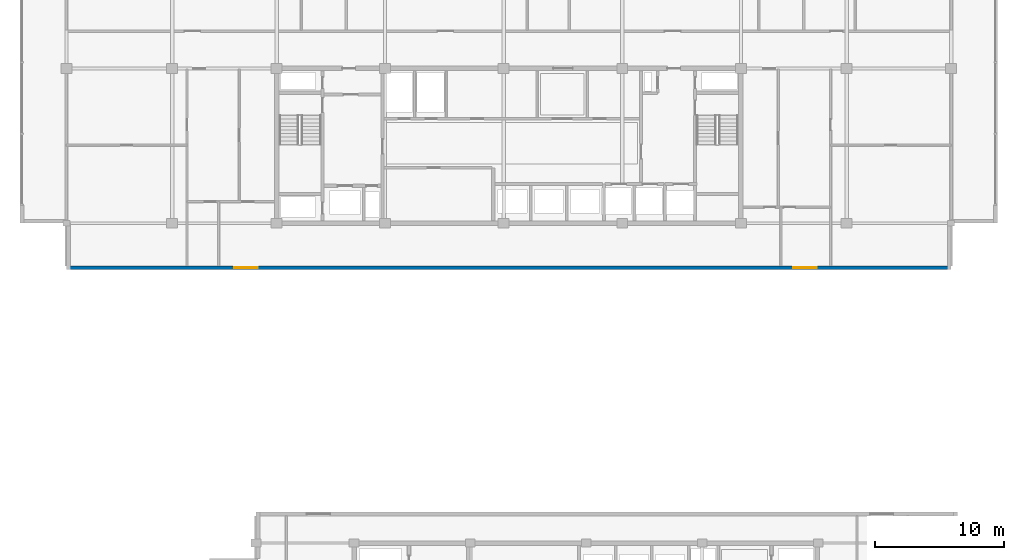
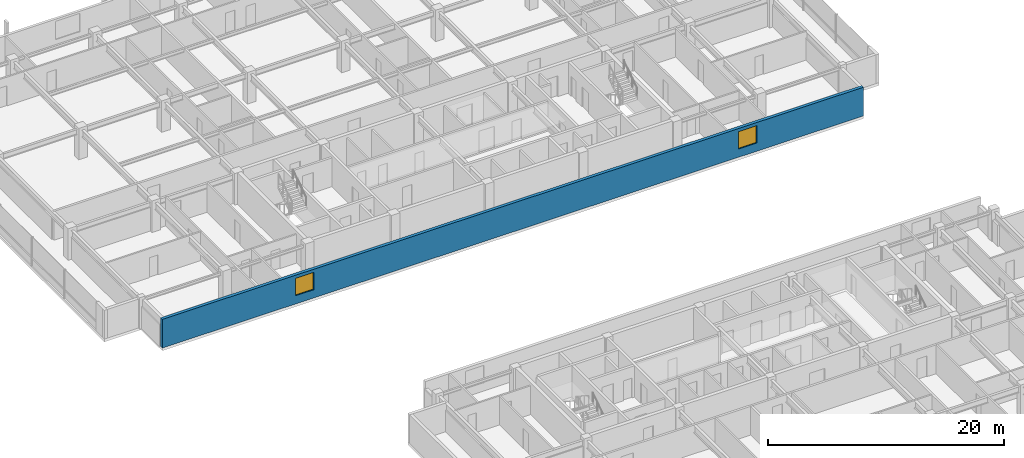
# One storey, part 20 of 32: 2 windows, 1 wall, 2 openings.
"""IFC4 building model written with IfcOpenShell, lengths in metres."""

from ifc_helpers import new_model, si_unit, direction, frame, frame_2d, origin, place, context, subcontext, project, spatial, rectangle, extrude, material, layer, layer_set, type_object, element, fill, save


model = new_model("IFC4")

# Units and contexts
model_context = context("Model", 3, precision=1e-05, world=origin(), true_north=direction((0.0, 1.0)))
body_context = subcontext(model_context, "Body", "Model", "MODEL_VIEW")
ifc_project = project(units=[si_unit("LENGTHUNIT", "METRE"), si_unit("AREAUNIT", "SQUARE_METRE"), si_unit("VOLUMEUNIT", "CUBIC_METRE"), si_unit("PLANEANGLEUNIT", "RADIAN"), si_unit("MASSUNIT", "GRAM", prefix="KILO")], contexts=[model_context])

# Site, building, storey
site_placement = place(None, origin())
site = spatial("IfcSite", under=ifc_project, at=site_placement, CompositionType="ELEMENT")
building_placement = place(site_placement, origin())
building = spatial("IfcBuilding", under=site, at=building_placement, Name="Korimba Cascade Residences", CompositionType="ELEMENT")
storey_placement = place(building_placement, frame((0.0, 0.0, 178.35009765625)))
storey = spatial("IfcBuildingStorey", under=building, at=storey_placement, Name="L51", CompositionType="ELEMENT", Elevation=178.35009765625)

# Wall, openings, windows
ifc_material_1 = material(Name="Precast concrete C40/50", Category="concrete")
ifc_layer = layer(ifc_material_1, 0.300048828125)
ifc_layer_set = layer_set([ifc_layer], Name="Precast concrete C40/50")
wall_type = type_object("IfcWallType", Name="EW-STONE-300", PredefinedType="STANDARD", material=ifc_layer_set)
wall_placement = place(storey_placement, frame((59.800048828125, 51.75, 0.0), z_axis=(0.0, 0.0, 1.0), x_axis=(1.0, 0.0, 0.0)))
wall = element("IfcWall", 1, at=wall_placement, inside=storey, type_object=wall_type, Name="L51 T1 Perimeter Stone Wall E00", PredefinedType="STANDARD", context=body_context, shape_type="SweptSolid", body=[
    extrude(rectangle(XDim=68.599853515625, YDim=0.300048828125, at=frame_2d((34.2998046875, 0.0))), origin(), (0.0, 0.0, 1.0), 2.969970703125),
])
opening_1_placement = place(wall_placement, frame((13.02490234375, 0.0, 0.85009765625)))
opening_1 = element("IfcOpeningElement", 2, at=opening_1_placement, cuts=wall, Name="Opening W-02", PredefinedType="OPENING", context=body_context, shape_type="SweptSolid", body=[
    extrude(rectangle(XDim=1.800048828125, YDim=1.800048828125, at=frame_2d((0.89990234375, 0.89990234375))), frame((0.0, 0.16015625, 0.0), z_axis=(0.0, -1.0, 0.0), x_axis=(1.0, 0.0, 0.0)), (0.0, 0.0, 1.0), 0.320068359375),
])
opening_2_placement = place(wall_placement, frame((56.375, 0.0, 0.85009765625)))
opening_2 = element("IfcOpeningElement", 3, at=opening_2_placement, cuts=wall, Name="Opening W-02", PredefinedType="OPENING", context=body_context, shape_type="SweptSolid", body=[
    extrude(rectangle(XDim=1.800048828125, YDim=1.800048828125, at=frame_2d((0.89990234375, 0.89990234375))), frame((0.0, 0.16015625, 0.0), z_axis=(0.0, -1.0, 0.0), x_axis=(1.0, 0.0, 0.0)), (0.0, 0.0, 1.0), 0.320068359375),
])
ifc_material_2 = material(Name="Double-Glazed Aluminium Window", Category="aluminium")
window_type = type_object("IfcWindowType", Name="WIN-BED-1800", PartitioningType="SINGLE_PANEL", PredefinedType="WINDOW", material=ifc_material_2)
window_1_placement = place(opening_1_placement, origin())
window_1 = element("IfcWindow", 4, at=window_1_placement, inside=storey, type_object=window_type, Name="L51 T1 South Corner Bedroom Window 1", OverallHeight=1.800048828125, OverallWidth=1.800048828125, PartitioningType="SINGLE_PANEL", PredefinedType="WINDOW", context=body_context, shape_type="SweptSolid", body=[
    extrude(rectangle(XDim=1.800048828125, YDim=1.800048828125, at=frame_2d((0.89990234375, 0.89990234375))), frame((0.0, 0.030029296875, 0.0), z_axis=(0.0, -1.0, 0.0), x_axis=(1.0, 0.0, 0.0)), (0.0, 0.0, 1.0), 0.06005859375),
])
fill(opening_1, window_1)
window_2_placement = place(opening_2_placement, origin())
window_2 = element("IfcWindow", 5, at=window_2_placement, inside=storey, type_object=window_type, Name="L51 T1 South Corner Bedroom Window 2", OverallHeight=1.800048828125, OverallWidth=1.800048828125, PartitioningType="SINGLE_PANEL", PredefinedType="WINDOW", context=body_context, shape_type="SweptSolid", body=[
    extrude(rectangle(XDim=1.800048828125, YDim=1.800048828125, at=frame_2d((0.89990234375, 0.89990234375))), frame((0.0, 0.030029296875, 0.0), z_axis=(0.0, -1.0, 0.0), x_axis=(1.0, 0.0, 0.0)), (0.0, 0.0, 1.0), 0.06005859375),
])
fill(opening_2, window_2)

save(model, "model.ifc")
